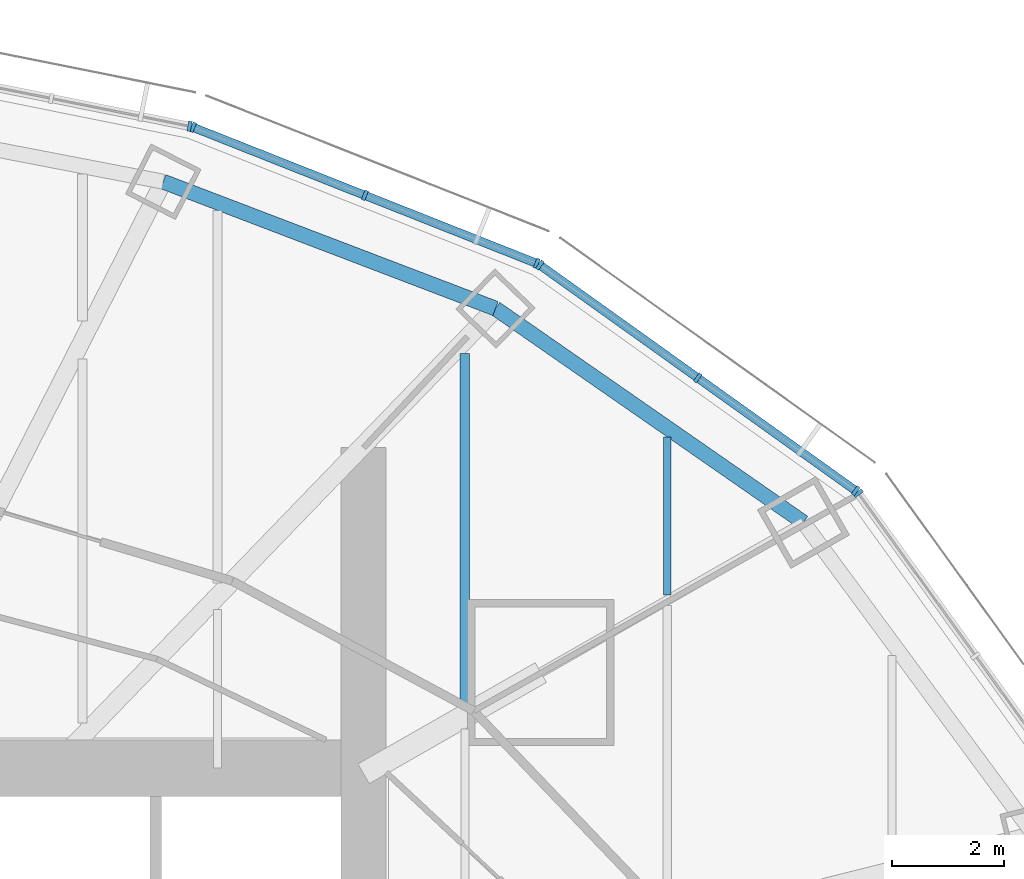
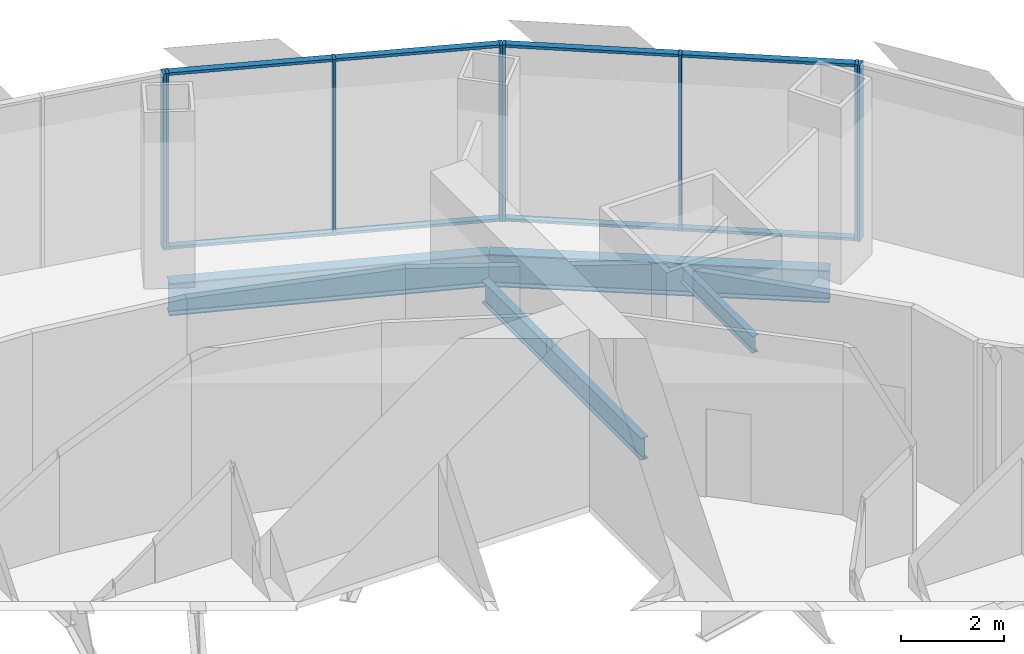
# One storey, part 9 of 17: 16 members, 4 beams, 4 elements without a shape of their own.
"""IFC4 building model written with IfcOpenShell, lengths in metres."""

from ifc_helpers import new_model, si_unit, direction, frame, origin, origin_2d, place, context, subcontext, project, spatial, rectangle, i_section, extrude, material, material_profile, profile_set, type_object, element, aggregate, save


model = new_model("IFC4")

# Units and contexts
model_context = context("Model", 3, precision=1e-05, world=origin(), true_north=direction((0.0, 1.0)))
body_context = subcontext(model_context, "Body", "Model", "MODEL_VIEW")
ifc_project = project(units=[si_unit("LENGTHUNIT", "METRE"), si_unit("AREAUNIT", "SQUARE_METRE"), si_unit("VOLUMEUNIT", "CUBIC_METRE"), si_unit("PLANEANGLEUNIT", "RADIAN"), si_unit("MASSUNIT", "GRAM", prefix="KILO")], contexts=[model_context])

# Site, building, storey
site_placement = place(None, origin())
site = spatial("IfcSite", under=ifc_project, at=site_placement, CompositionType="ELEMENT")
building_placement = place(site_placement, origin())
building = spatial("IfcBuilding", under=site, at=building_placement, Name="Lantaw Convention Tower", CompositionType="ELEMENT")
storey_placement = place(building_placement, frame((0.0, 0.0, 207.39990234375)))
storey = spatial("IfcBuildingStorey", under=building, at=storey_placement, Name="L48", CompositionType="ELEMENT", Elevation=207.39990234375)

# Beams
ifc_material_1 = material(Name="Steel ASTM A992", Category="steel")
ifc_material_profile_1 = material_profile(ifc_material_1, i_section(OverallWidth=0.2666015625, OverallDepth=0.76953125, WebThickness=0.015625, FlangeThickness=0.025390625, FilletRadius=0.0126953125, at=origin_2d()), Name="W30X132")
ifc_profile_set_1 = profile_set([ifc_material_profile_1], Name="Steel ASTM A992")
beam_type_1 = type_object("IfcBeamType", Name="Beam E W30X132", PredefinedType="SPANDREL", material=ifc_profile_set_1)
beam_1_placement = place(storey_placement, frame((20.423095703125, 11.67041015625, -0.53466796875), z_axis=(-0.82135329406, 0.570419815869, 0.0), x_axis=(-0.570419815869, -0.82135329406, 0.0)))
element("IfcBeam", 1, at=beam_1_placement, inside=storey, type_object=beam_type_1, Name="Edge beam 3", PredefinedType="SPANDREL", context=body_context, shape_type="SweptSolid", body=[
    extrude(i_section(OverallWidth=0.2666015625, OverallDepth=0.76953125, WebThickness=0.015625, FlangeThickness=0.025390625, FilletRadius=0.0126953125, at=origin_2d()), origin(), (0.0, 0.0, 1.0), 6.67041015625),
])
beam_2_placement = place(storey_placement, frame((14.9443359375, 15.475341796875, -0.53466796875), z_axis=(-0.934234988, 0.356658081637, 0.0), x_axis=(-0.356658081637, -0.934234988, 0.0)))
element("IfcBeam", 2, at=beam_2_placement, inside=storey, type_object=beam_type_1, Name="Edge beam 4", PredefinedType="SPANDREL", context=body_context, shape_type="SweptSolid", body=[
    extrude(i_section(OverallWidth=0.2666015625, OverallDepth=0.76953125, WebThickness=0.015625, FlangeThickness=0.025390625, FilletRadius=0.0126953125, at=origin_2d()), origin(), (0.0, 0.0, 1.0), 6.32568359375),
])
ifc_material_profile_2 = material_profile(ifc_material_1, i_section(OverallWidth=0.140380859375, OverallDepth=0.40380859375, WebThickness=0.007080078125, FlangeThickness=0.01123046875, FilletRadius=0.01025390625, at=origin_2d()), Name="W16X31")
ifc_profile_set_2 = profile_set([ifc_material_profile_2], Name="Steel ASTM A992")
beam_type_2 = type_object("IfcBeamType", Name="Beam J W16X31", PredefinedType="JOIST", material=ifc_profile_set_2)
beam_3_placement = place(storey_placement, frame((18.0, 10.380859375, -0.351806640625), z_axis=(0.0, 1.0, 0.0), x_axis=(-1.0, 0.0, 0.0)))
element("IfcBeam", 3, at=beam_3_placement, inside=storey, type_object=beam_type_2, Name="Floor joist", PredefinedType="JOIST", context=body_context, shape_type="SweptSolid", body=[
    extrude(i_section(OverallWidth=0.140380859375, OverallDepth=0.40380859375, WebThickness=0.007080078125, FlangeThickness=0.01123046875, FilletRadius=0.01025390625, at=origin_2d()), origin(), (0.0, 0.0, 1.0), 2.81005859375),
])
ifc_material_profile_3 = material_profile(ifc_material_1, i_section(OverallWidth=0.1650390625, OverallDepth=0.52587890625, WebThickness=0.0087890625, FlangeThickness=0.011474609375, FilletRadius=0.0126953125, at=origin_2d()), Name="W21X44")
ifc_profile_set_3 = profile_set([ifc_material_profile_3], Name="Steel ASTM A992")
beam_type_3 = type_object("IfcBeamType", Name="Beam J W21X44", PredefinedType="JOIST", material=ifc_profile_set_3)
beam_4_placement = place(storey_placement, frame((14.39990234375, 8.461181640625, -0.412841796875), z_axis=(0.0, 1.0, 0.0), x_axis=(-1.0, 0.0, 0.0)))
element("IfcBeam", 4, at=beam_4_placement, inside=storey, type_object=beam_type_3, Name="Floor joist", PredefinedType="JOIST", context=body_context, shape_type="SweptSolid", body=[
    extrude(i_section(OverallWidth=0.1650390625, OverallDepth=0.52587890625, WebThickness=0.0087890625, FlangeThickness=0.011474609375, FilletRadius=0.0126953125, at=origin_2d()), origin(), (0.0, 0.0, 1.0), 6.214599609375),
])

# Curtain wall, member
ifc_material_2 = material(Name="Aluminium framed curtain wall", Category="aluminium")
curtain_wall_type = type_object("IfcCurtainWallType", Name="Office curtain wall high rise, pale aluminium", PredefinedType="USERDEFINED", material=ifc_material_2)
curtain_wall_1_placement = place(storey_placement, origin())
curtain_wall_1 = element("IfcCurtainWall", 5, at=curtain_wall_1_placement, inside=storey, type_object=curtain_wall_type, Name="Office curtain wall high rise, pale aluminium L48", ObjectType="UNITISED CURTAIN WALL", PredefinedType="USERDEFINED")
ifc_material_3 = material(Name="Aluminium 6063-T6", Category="aluminium")
ifc_material_profile_4 = material_profile(ifc_material_3, rectangle(XDim=0.179931640625, YDim=0.06494140625, at=origin_2d()), Name="CW-O2 mullion 65x180")
ifc_profile_set_4 = profile_set([ifc_material_profile_4], Name="Aluminium 6063-T6")
member_type_1 = type_object("IfcMemberType", Name="CW-O2 mullion 65x180", PredefinedType="MULLION", material=ifc_profile_set_4)
member_1_placement = place(storey_placement, frame((21.397216796875, 12.189697265625, -0.14990234375), z_axis=(0.0, 0.0, 1.0), x_axis=(-0.810919559405, -0.585157643865, 0.0)))
member_1 = element("IfcMember", 6, at=member_1_placement, type_object=member_type_1, Name="CW-O2 mullion 3", PredefinedType="MULLION", context=body_context, shape_type="SweptSolid", body=[
    extrude(rectangle(XDim=0.179931640625, YDim=0.06494140625, at=origin_2d()), origin(), (0.0, 0.0, 1.0), 4.199951171875),
])
aggregate(curtain_wall_1, [member_1])

# Curtain wall, members
curtain_wall_2_placement = place(storey_placement, origin())
curtain_wall_2 = element("IfcCurtainWall", 7, at=curtain_wall_2_placement, inside=storey, type_object=curtain_wall_type, Name="Office curtain wall high rise, pale aluminium L48", ObjectType="UNITISED CURTAIN WALL", PredefinedType="USERDEFINED")
member_2_placement = place(storey_placement, frame((21.3515625, 12.23486328125, -0.14990234375), z_axis=(0.0, 0.0, 1.0), x_axis=(-0.581323487281, -0.813672540482, 0.0)))
member_2 = element("IfcMember", 8, at=member_2_placement, type_object=member_type_1, Name="CW-O2 mullion 1", PredefinedType="MULLION", context=body_context, shape_type="SweptSolid", body=[
    extrude(rectangle(XDim=0.179931640625, YDim=0.06494140625, at=origin_2d()), origin(), (0.0, 0.0, 1.0), 4.199951171875),
])
member_3_placement = place(storey_placement, frame((18.543212890625, 14.241455078125, -0.14990234375), z_axis=(0.0, 0.0, 1.0), x_axis=(-0.581323487281, -0.813672540482, 0.0)))
member_3 = element("IfcMember", 9, at=member_3_placement, type_object=member_type_1, Name="CW-O2 mullion 2", PredefinedType="MULLION", context=body_context, shape_type="SweptSolid", body=[
    extrude(rectangle(XDim=0.179931640625, YDim=0.06494140625, at=origin_2d()), origin(), (0.0, 0.0, 1.0), 4.199951171875),
])
member_4_placement = place(storey_placement, frame((15.73486328125, 16.247802734375, -0.14990234375), z_axis=(0.0, 0.0, 1.0), x_axis=(-0.581323487281, -0.813672540482, 0.0)))
member_4 = element("IfcMember", 10, at=member_4_placement, type_object=member_type_1, Name="CW-O2 mullion 3", PredefinedType="MULLION", context=body_context, shape_type="SweptSolid", body=[
    extrude(rectangle(XDim=0.179931640625, YDim=0.06494140625, at=origin_2d()), origin(), (0.0, 0.0, 1.0), 4.199951171875),
])

curtain_wall_3_placement = place(storey_placement, origin())
curtain_wall_3 = element("IfcCurtainWall", 11, at=curtain_wall_3_placement, inside=storey, type_object=curtain_wall_type, Name="Office curtain wall high rise, pale aluminium L48", ObjectType="UNITISED CURTAIN WALL", PredefinedType="USERDEFINED")
member_5_placement = place(storey_placement, frame((15.67822265625, 16.278564453125, -0.14990234375), z_axis=(0.0, 0.0, 1.0), x_axis=(-0.368162315252, -0.929761533743, 0.0)))
member_5 = element("IfcMember", 12, at=member_5_placement, type_object=member_type_1, Name="CW-O2 mullion 1", PredefinedType="MULLION", context=body_context, shape_type="SweptSolid", body=[
    extrude(rectangle(XDim=0.179931640625, YDim=0.06494140625, at=origin_2d()), origin(), (0.0, 0.0, 1.0), 4.199951171875),
])
member_6_placement = place(storey_placement, frame((12.621337890625, 17.4892578125, -0.14990234375), z_axis=(0.0, 0.0, 1.0), x_axis=(-0.368162315252, -0.929761533743, 0.0)))
member_6 = element("IfcMember", 13, at=member_6_placement, type_object=member_type_1, Name="CW-O2 mullion 2", PredefinedType="MULLION", context=body_context, shape_type="SweptSolid", body=[
    extrude(rectangle(XDim=0.179931640625, YDim=0.06494140625, at=origin_2d()), origin(), (0.0, 0.0, 1.0), 4.199951171875),
])
member_7_placement = place(storey_placement, frame((9.564208984375, 18.69970703125, -0.14990234375), z_axis=(0.0, 0.0, 1.0), x_axis=(-0.368162315252, -0.929761533743, 0.0)))
member_7 = element("IfcMember", 14, at=member_7_placement, type_object=member_type_1, Name="CW-O2 mullion 3", PredefinedType="MULLION", context=body_context, shape_type="SweptSolid", body=[
    extrude(rectangle(XDim=0.179931640625, YDim=0.06494140625, at=origin_2d()), origin(), (0.0, 0.0, 1.0), 4.199951171875),
])

# Curtain wall, member
curtain_wall_4_placement = place(storey_placement, origin())
curtain_wall_4 = element("IfcCurtainWall", 15, at=curtain_wall_4_placement, inside=storey, type_object=curtain_wall_type, Name="Office curtain wall high rise, pale aluminium L48", ObjectType="UNITISED CURTAIN WALL", PredefinedType="USERDEFINED")
member_8_placement = place(storey_placement, frame((9.502197265625, 18.718017578125, -0.14990234375), z_axis=(0.0, 0.0, 1.0), x_axis=(-0.197183095987, -0.980366679695, 0.0)))
member_8 = element("IfcMember", 16, at=member_8_placement, type_object=member_type_1, Name="CW-O2 mullion 1", PredefinedType="MULLION", context=body_context, shape_type="SweptSolid", body=[
    extrude(rectangle(XDim=0.179931640625, YDim=0.06494140625, at=origin_2d()), origin(), (0.0, 0.0, 1.0), 4.199951171875),
])
aggregate(curtain_wall_4, [member_8])

# Member
ifc_material_profile_5 = material_profile(ifc_material_3, rectangle(XDim=0.14990234375, YDim=0.06494140625, at=origin_2d()), Name="CW-O2 transom 65x150")
ifc_profile_set_5 = profile_set([ifc_material_profile_5], Name="Aluminium 6063-T6")
member_type_2 = type_object("IfcMemberType", Name="CW-O2 transom 65x150", PredefinedType="USERDEFINED", material=ifc_profile_set_5)
member_9_placement = place(storey_placement, frame((21.3251953125, 12.25390625, -0.117431640625), z_axis=(-0.813679882592, 0.581313210468, 0.0), x_axis=(-0.581313210468, -0.813679882592, 0.0)))
member_9 = element("IfcMember", 17, at=member_9_placement, type_object=member_type_2, Name="CW-O2 transom 1.1", ObjectType="TRANSOM", PredefinedType="USERDEFINED", context=body_context, shape_type="SweptSolid", body=[
    extrude(rectangle(XDim=0.14990234375, YDim=0.06494140625, at=origin_2d()), origin(), (0.0, 0.0, 1.0), 3.38623046875),
])

member_10_placement = place(storey_placement, frame((21.3251953125, 12.25390625, 4.017578125), z_axis=(-0.813679882592, 0.581313210468, 0.0), x_axis=(-0.581313210468, -0.813679882592, 0.0)))
member_10 = element("IfcMember", 18, at=member_10_placement, type_object=member_type_2, Name="CW-O2 transom 1.2", ObjectType="TRANSOM", PredefinedType="USERDEFINED", context=body_context, shape_type="SweptSolid", body=[
    extrude(rectangle(XDim=0.14990234375, YDim=0.06494140625, at=origin_2d()), origin(), (0.0, 0.0, 1.0), 3.38623046875),
])

member_11_placement = place(storey_placement, frame((18.516845703125, 14.26025390625, -0.117431640625), z_axis=(-0.813645780821, 0.581360940683, 0.0), x_axis=(-0.581360940683, -0.813645780821, 0.0)))
member_11 = element("IfcMember", 19, at=member_11_placement, type_object=member_type_2, Name="CW-O2 transom 2.1", ObjectType="TRANSOM", PredefinedType="USERDEFINED", context=body_context, shape_type="SweptSolid", body=[
    extrude(rectangle(XDim=0.14990234375, YDim=0.06494140625, at=origin_2d()), origin(), (0.0, 0.0, 1.0), 3.386474609375),
])

member_12_placement = place(storey_placement, frame((18.516845703125, 14.26025390625, 4.017578125), z_axis=(-0.813645780821, 0.581360940683, 0.0), x_axis=(-0.581360940683, -0.813645780821, 0.0)))
member_12 = element("IfcMember", 20, at=member_12_placement, type_object=member_type_2, Name="CW-O2 transom 2.2", ObjectType="TRANSOM", PredefinedType="USERDEFINED", context=body_context, shape_type="SweptSolid", body=[
    extrude(rectangle(XDim=0.14990234375, YDim=0.06494140625, at=origin_2d()), origin(), (0.0, 0.0, 1.0), 3.386474609375),
])

aggregate(curtain_wall_2, [member_2, member_3, member_4, member_9, member_10, member_11, member_12])

member_13_placement = place(storey_placement, frame((15.648193359375, 16.29052734375, -0.117431640625), z_axis=(-0.929740712354, 0.368214893495, 0.0), x_axis=(-0.368214893495, -0.929740712354, 0.0)))
member_13 = element("IfcMember", 21, at=member_13_placement, type_object=member_type_2, Name="CW-O2 transom 1.1", ObjectType="TRANSOM", PredefinedType="USERDEFINED", context=body_context, shape_type="SweptSolid", body=[
    extrude(rectangle(XDim=0.14990234375, YDim=0.06494140625, at=origin_2d()), origin(), (0.0, 0.0, 1.0), 3.22314453125),
])

member_14_placement = place(storey_placement, frame((15.648193359375, 16.29052734375, 4.017578125), z_axis=(-0.929740712354, 0.368214893495, 0.0), x_axis=(-0.368214893495, -0.929740712354, 0.0)))
member_14 = element("IfcMember", 22, at=member_14_placement, type_object=member_type_2, Name="CW-O2 transom 1.2", ObjectType="TRANSOM", PredefinedType="USERDEFINED", context=body_context, shape_type="SweptSolid", body=[
    extrude(rectangle(XDim=0.14990234375, YDim=0.06494140625, at=origin_2d()), origin(), (0.0, 0.0, 1.0), 3.22314453125),
])

member_15_placement = place(storey_placement, frame((12.591064453125, 17.501220703125, -0.117431640625), z_axis=(-0.929766642946, 0.368149412149, 0.0), x_axis=(-0.368149412149, -0.929766642946, 0.0)))
member_15 = element("IfcMember", 23, at=member_15_placement, type_object=member_type_2, Name="CW-O2 transom 2.1", ObjectType="TRANSOM", PredefinedType="USERDEFINED", context=body_context, shape_type="SweptSolid", body=[
    extrude(rectangle(XDim=0.14990234375, YDim=0.06494140625, at=origin_2d()), origin(), (0.0, 0.0, 1.0), 3.222900390625),
])

member_16_placement = place(storey_placement, frame((12.591064453125, 17.501220703125, 4.017578125), z_axis=(-0.929766642946, 0.368149412149, 0.0), x_axis=(-0.368149412149, -0.929766642946, 0.0)))
member_16 = element("IfcMember", 24, at=member_16_placement, type_object=member_type_2, Name="CW-O2 transom 2.2", ObjectType="TRANSOM", PredefinedType="USERDEFINED", context=body_context, shape_type="SweptSolid", body=[
    extrude(rectangle(XDim=0.14990234375, YDim=0.06494140625, at=origin_2d()), origin(), (0.0, 0.0, 1.0), 3.222900390625),
])

aggregate(curtain_wall_3, [member_5, member_6, member_7, member_13, member_14, member_15, member_16])

save(model, "model.ifc")
